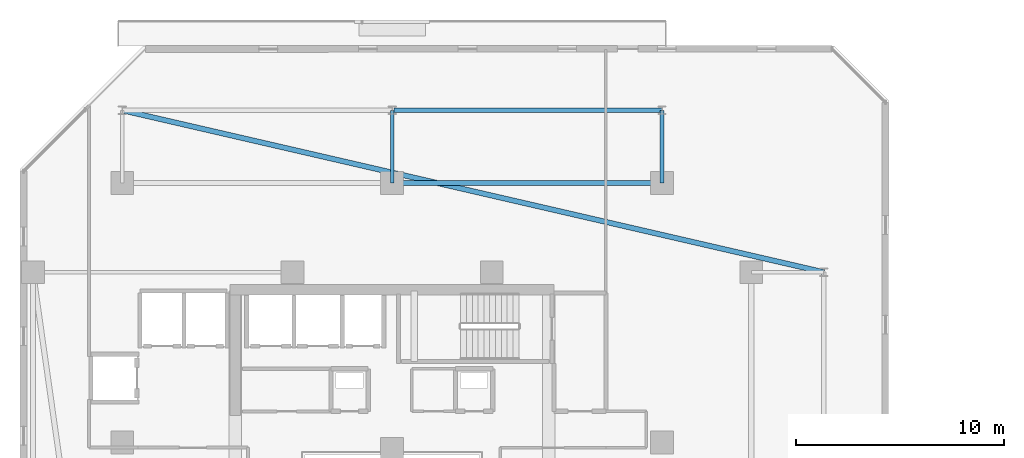
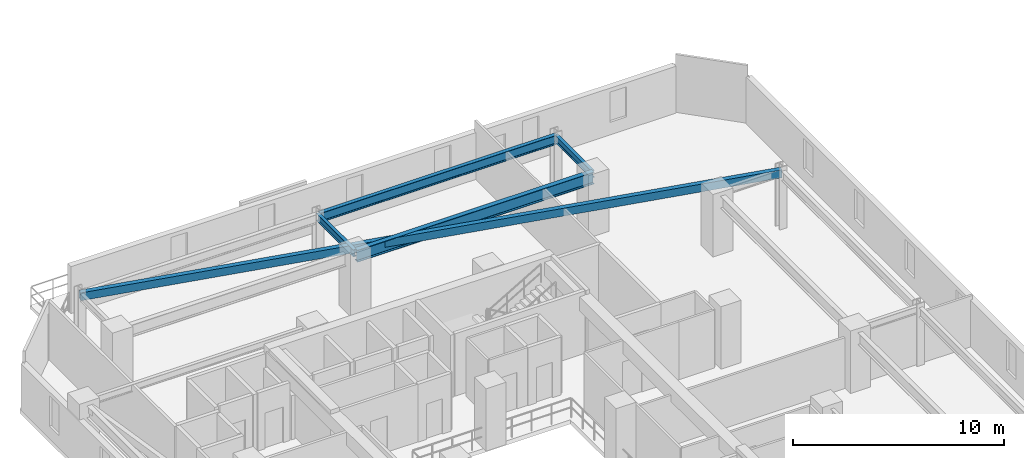
# One storey, part 9 of 32: 5 beams.
"""IFC4 building model written with IfcOpenShell, lengths in metres."""

from ifc_helpers import new_model, si_unit, direction, frame, origin, origin_2d, place, context, subcontext, project, spatial, hollow_rectangle, i_section, extrude, material, material_profile, profile_set, type_object, element, save


model = new_model("IFC4")

# Units and contexts
model_context = context("Model", 3, precision=1e-05, world=origin(), true_north=direction((0.0, 1.0)))
body_context = subcontext(model_context, "Body", "Model", "MODEL_VIEW")
ifc_project = project(units=[si_unit("LENGTHUNIT", "METRE"), si_unit("AREAUNIT", "SQUARE_METRE"), si_unit("VOLUMEUNIT", "CUBIC_METRE"), si_unit("PLANEANGLEUNIT", "RADIAN"), si_unit("MASSUNIT", "GRAM", prefix="KILO")], contexts=[model_context])

# Site, building, storey
site_placement = place(None, origin())
site = spatial("IfcSite", under=ifc_project, at=site_placement, CompositionType="ELEMENT")
building_placement = place(site_placement, origin())
building = spatial("IfcBuilding", under=site, at=building_placement, Name="Thornwick Lancets Civic Towers", CompositionType="ELEMENT")
storey_placement = place(building_placement, frame((0.0, 0.0, 178.5)))
storey = spatial("IfcBuildingStorey", under=building, at=storey_placement, Name="L47", CompositionType="ELEMENT", Elevation=178.5)

# Beams
ifc_material = material(Name="Steel S355JR", Category="steel")
ifc_material_profile_1 = material_profile(ifc_material, i_section(OverallWidth=0.210693359375, OverallDepth=0.53955078125, WebThickness=0.01171875, FlangeThickness=0.018798828125, FilletRadius=0.0126953125, at=origin_2d()), Name="UKB 533x210x109")
ifc_profile_set_1 = profile_set([ifc_material_profile_1], Name="Steel S355JR")
beam_type_1 = type_object("IfcBeamType", Name="BM_EDGE_533_109", PredefinedType="SPANDREL", material=ifc_profile_set_1)
beam_1_placement = place(storey_placement, frame((25.580078125, 47.800048828125, 3.09033203125), z_axis=(1.0, 0.0, 0.0), x_axis=(0.0, 1.0, 0.0)))
element("IfcBeam", 1, at=beam_1_placement, inside=storey, type_object=beam_type_1, Name="BM-EDGE-L47-A-S2-2", PredefinedType="SPANDREL", context=body_context, shape_type="SweptSolid", body=[
    extrude(i_section(OverallWidth=0.210693359375, OverallDepth=0.53955078125, WebThickness=0.01171875, FlangeThickness=0.018798828125, FilletRadius=0.0126953125, at=origin_2d()), origin(), (0.0, 0.0, 1.0), 12.919921875),
])
ifc_material_profile_2 = material_profile(ifc_material, i_section(OverallWidth=0.255859375, OverallDepth=0.69287109375, WebThickness=0.014404296875, FlangeThickness=0.023681640625, FilletRadius=0.01513671875, at=origin_2d()), Name="UKB 686x254x170")
ifc_profile_set_2 = profile_set([ifc_material_profile_2], Name="Steel S355JR")
beam_type_2 = type_object("IfcBeamType", Name="BM_GIRD_686_170", PredefinedType="BEAM", material=ifc_profile_set_2)
beam_2_placement = place(storey_placement, frame((25.580078125, 44.300048828125, 3.013671875), z_axis=(1.0, 0.0, 0.0), x_axis=(0.0, 1.0, 0.0)))
element("IfcBeam", 2, at=beam_2_placement, inside=storey, type_object=beam_type_2, Name="BM-SPINE-L47-A-7-8", PredefinedType="BEAM", context=body_context, shape_type="SweptSolid", body=[
    extrude(i_section(OverallWidth=0.255859375, OverallDepth=0.69287109375, WebThickness=0.014404296875, FlangeThickness=0.023681640625, FilletRadius=0.01513671875, at=origin_2d()), origin(), (0.0, 0.0, 1.0), 12.919921875),
])
ifc_material_profile_3 = material_profile(ifc_material, i_section(OverallWidth=0.179443359375, OverallDepth=0.412841796875, WebThickness=0.009521484375, FlangeThickness=0.01611328125, FilletRadius=0.01025390625, at=origin_2d()), Name="UKB 406x178x74")
ifc_profile_set_3 = profile_set([ifc_material_profile_3], Name="Steel S355JR")
beam_type_3 = type_object("IfcBeamType", Name="BM_JOIST_406_74", PredefinedType="JOIST", material=ifc_profile_set_3)
for number, where, z_axis, x_axis, name in (
    (3, (25.5, 44.300048828125, 3.153564453125), (0.0, 1.0, 0.0), (-1.0, 0.0, 0.0), "BM-RAD-L47-A08"),
    (4, (38.5, 44.300048828125, 3.153564453125), (0.0, 1.0, 0.0), (-1.0, 0.0, 0.0), "BM-RAD-L47-A09"),
):
    element("IfcBeam", number, at=place(storey_placement, frame(where, z_axis=z_axis, x_axis=x_axis)), inside=storey, type_object=beam_type_3, Name=name, PredefinedType="JOIST", context=body_context, shape_type="SweptSolid", body=[
        extrude(i_section(OverallWidth=0.179443359375, OverallDepth=0.412841796875, WebThickness=0.009521484375, FlangeThickness=0.01611328125, FilletRadius=0.01025390625, at=origin_2d()), origin(), (0.0, 0.0, 1.0), 3.5),
    ])
ifc_material_profile_4 = material_profile(ifc_material, hollow_rectangle(XDim=0.25, YDim=0.449951171875, WallThickness=0.01611328125, at=origin_2d()), Name="RHS 450x250x16")
ifc_profile_set_4 = profile_set([ifc_material_profile_4], Name="Steel S355JR")
beam_type_4 = type_object("IfcBeamType", Name="BM_RING_RHS450", PredefinedType="BEAM", material=ifc_profile_set_4)
beam_3_placement = place(storey_placement, frame((46.300048828125, 40.0, 3.135009765625), z_axis=(-0.974390958454, 0.224860534737, 0.0), x_axis=(-0.224860534737, -0.974390958454, 0.0)))
element("IfcBeam", 5, at=beam_3_placement, inside=storey, type_object=beam_type_4, Name="BM-CHAMF-L47-A-C1", PredefinedType="BEAM", context=body_context, shape_type="SweptSolid", body=[
    extrude(hollow_rectangle(XDim=0.25, YDim=0.449951171875, WallThickness=0.01611328125, at=origin_2d()), origin(), (0.0, 0.0, 1.0), 34.6884765625),
])

save(model, "model.ifc")
